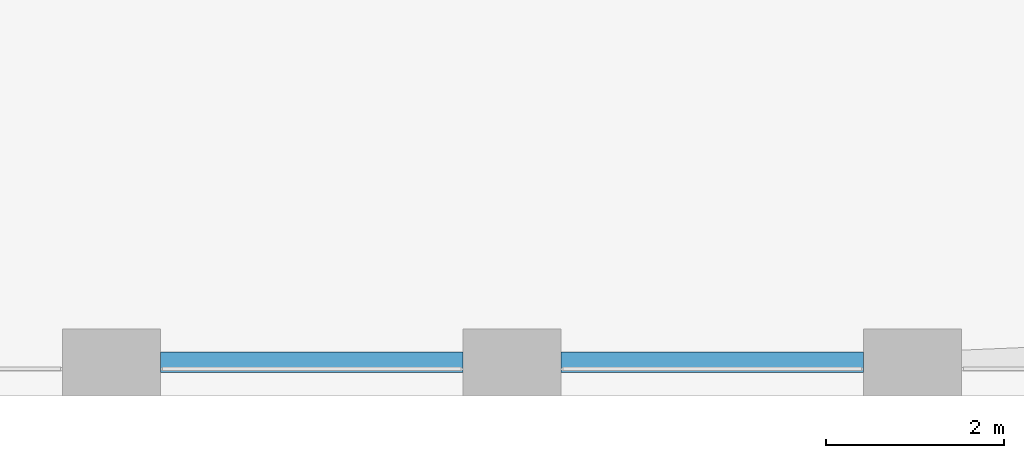
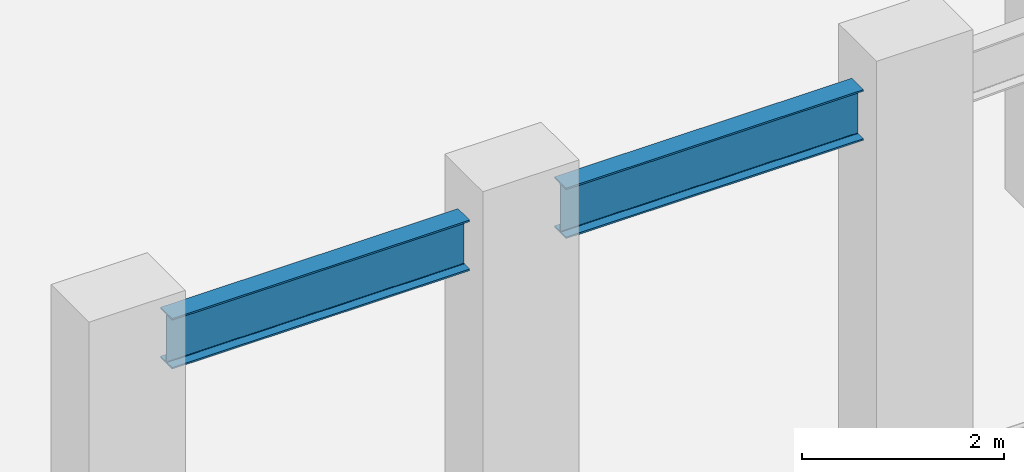
# One storey, part 4 of 14: 2 beams.
"""IFC4 building model written with IfcOpenShell, lengths in metres."""

from ifc_helpers import new_model, si_unit, direction, frame, origin, origin_2d, place, context, subcontext, project, spatial, i_section, extrude, material, material_profile, profile_set, type_object, element, save


model = new_model("IFC4")

# Units and contexts
model_context = context("Model", 3, precision=1e-05, world=origin(), true_north=direction((0.0, 1.0)))
body_context = subcontext(model_context, "Body", "Model", "MODEL_VIEW")
ifc_project = project(units=[si_unit("LENGTHUNIT", "METRE"), si_unit("AREAUNIT", "SQUARE_METRE"), si_unit("VOLUMEUNIT", "CUBIC_METRE"), si_unit("PLANEANGLEUNIT", "RADIAN"), si_unit("MASSUNIT", "GRAM", prefix="KILO")], contexts=[model_context])

# Site, building, storey
site_placement = place(None, origin())
site = spatial("IfcSite", under=ifc_project, at=site_placement, CompositionType="ELEMENT")
building_placement = place(site_placement, origin())
building = spatial("IfcBuilding", under=site, at=building_placement, Name="Brigalow Station Residences", CompositionType="ELEMENT")
storey_placement = place(building_placement, frame((0.0, 0.0, 130.800048828125)))
storey = spatial("IfcBuildingStorey", under=building, at=storey_placement, Name="L38", CompositionType="ELEMENT", Elevation=130.800048828125)

# Beams
ifc_material = material(Name="Steel Grade 300 to AS/NZS 3679.1", Category="steel")
ifc_material_profile = material_profile(ifc_material, i_section(OverallWidth=0.22900390625, OverallDepth=0.611572265625, WebThickness=0.011962890625, FlangeThickness=0.01953125, FilletRadius=0.013916015625, at=origin_2d()), Name="610UB125")
ifc_profile_set = profile_set([ifc_material_profile], Name="Steel Grade 300 to AS/NZS 3679.1")
beam_type = type_object("IfcBeamType", Name="BELT GIRDER 610UB125", PredefinedType="USERDEFINED", material=ifc_profile_set)
for number, where, z_axis, x_axis, name in (
    (1, (59.050048828125, 0.375, 5.494140625), (1.0, 0.0, 0.0), (0.0, 1.0, 0.0), "BELT GIRDER 2 L38"),
    (2, (63.550048828125, 0.375, 5.494140625), (1.0, 0.0, 0.0), (0.0, 1.0, 0.0), "BELT GIRDER 3 L38"),
):
    element("IfcBeam", number, at=place(storey_placement, frame(where, z_axis=z_axis, x_axis=x_axis)), inside=storey, type_object=beam_type, Name=name, ObjectType="BELT GIRDER", PredefinedType="USERDEFINED", context=body_context, shape_type="SweptSolid", body=[
        extrude(i_section(OverallWidth=0.22900390625, OverallDepth=0.611572265625, WebThickness=0.011962890625, FlangeThickness=0.01953125, FilletRadius=0.013916015625, at=origin_2d()), origin(), (0.0, 0.0, 1.0), 3.39990234375),
    ])

save(model, "model.ifc")
